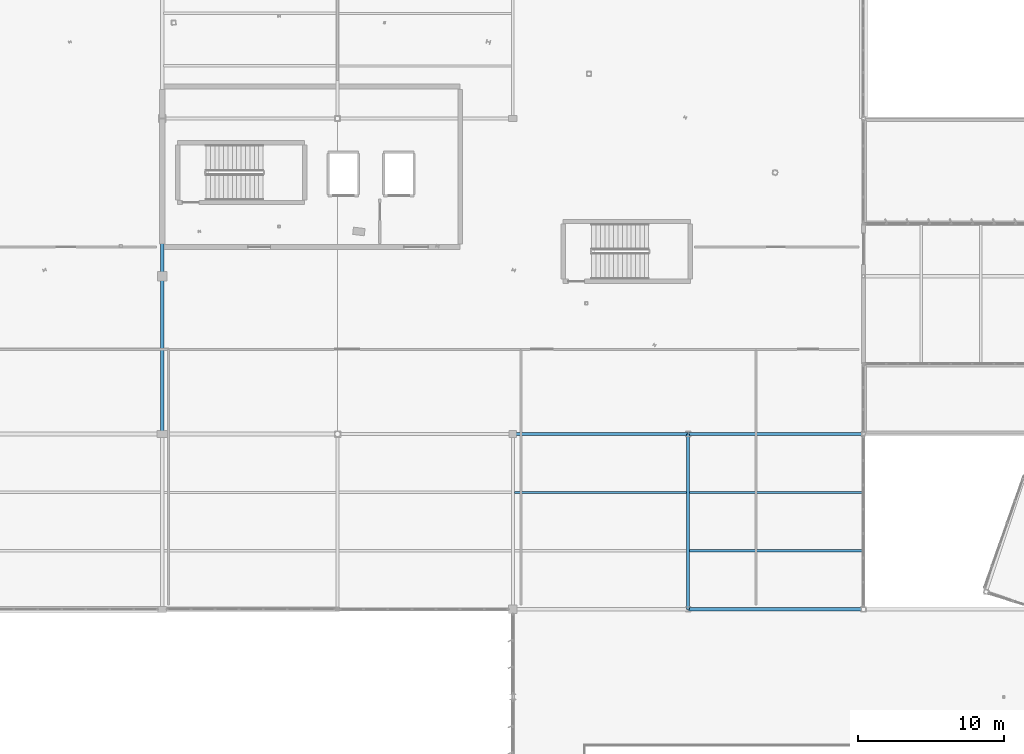
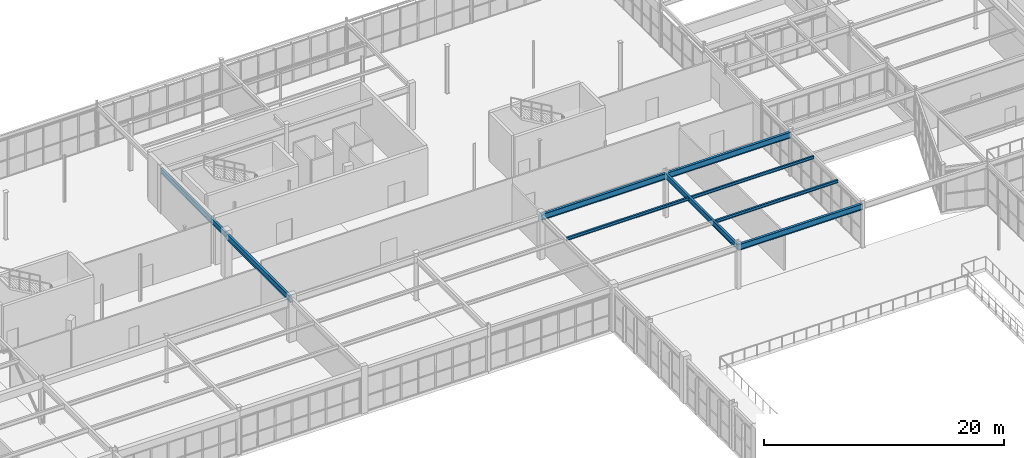
# One storey, part 100 of 226: 9 beams.
"""IFC4 building model written with IfcOpenShell, lengths in metres."""

from ifc_helpers import new_model, si_unit, direction, frame, origin, origin_2d, place, context, subcontext, project, spatial, i_section, extrude, material, material_profile, profile_set, type_object, element, save


model = new_model("IFC4")

# Units and contexts
model_context = context("Model", 3, precision=1e-05, world=origin(), true_north=direction((0.0, 1.0)))
body_context = subcontext(model_context, "Body", "Model", "MODEL_VIEW")
ifc_project = project(units=[si_unit("LENGTHUNIT", "METRE"), si_unit("AREAUNIT", "SQUARE_METRE"), si_unit("VOLUMEUNIT", "CUBIC_METRE"), si_unit("PLANEANGLEUNIT", "RADIAN"), si_unit("MASSUNIT", "GRAM", prefix="KILO")], contexts=[model_context])

# Site, building, storey
site_placement = place(None, origin())
site = spatial("IfcSite", under=ifc_project, at=site_placement, CompositionType="ELEMENT")
building_placement = place(site_placement, origin())
building = spatial("IfcBuilding", under=site, at=building_placement, Name="Tarnwether General Hospital", CompositionType="ELEMENT")
storey_placement = place(building_placement, frame((0.0, 0.0, 4.800048828125)))
storey = spatial("IfcBuildingStorey", under=building, at=storey_placement, Name="L01", CompositionType="ELEMENT", Elevation=4.800048828125)

# Beams
ifc_material_1 = material(Name="Steel Grade 350 (350 MPa)", Category="steel")
ifc_material_profile_1 = material_profile(ifc_material_1, i_section(OverallWidth=0.22802734375, OverallDepth=0.60693359375, WebThickness=0.01123046875, FlangeThickness=0.017333984375, at=origin_2d()), Name="610UB113")
ifc_profile_set_1 = profile_set([ifc_material_profile_1], Name="Steel Grade 350 (350 MPa)")
beam_type_1 = type_object("IfcBeamType", Name="BM-G04", PredefinedType="BEAM", material=ifc_profile_set_1)
for number, where, z_axis, x_axis, name in (
    (1, (108.0, 93.60009765625, 4.141357421875), (1.0, 0.0, 0.0), (0.0, 1.0, 0.0), "Primary Girder BMG-L01-10800_9360-12000_9360-1181"),
    (2, (120.0, 81.60009765625, 4.141357421875), (1.0, 0.0, 0.0), (0.0, 1.0, 0.0), "Primary Girder BMG-L01-12000_8160-13200_8160-1188"),
):
    element("IfcBeam", number, at=place(storey_placement, frame(where, z_axis=z_axis, x_axis=x_axis)), inside=storey, type_object=beam_type_1, Name=name, PredefinedType="BEAM", context=body_context, shape_type="SweptSolid", body=[
        extrude(i_section(OverallWidth=0.22802734375, OverallDepth=0.60693359375, WebThickness=0.01123046875, FlangeThickness=0.017333984375, at=origin_2d()), origin(), (0.0, 0.0, 1.0), 12.0),
    ])
ifc_material_2 = material(Name="Steel Grade 350 (350 MPa)", Category="steel")
ifc_material_profile_2 = material_profile(ifc_material_2, i_section(OverallWidth=0.22802734375, OverallDepth=0.60205078125, WebThickness=0.010498046875, FlangeThickness=0.014892578125, at=origin_2d()), Name="610UB101")
ifc_profile_set_2 = profile_set([ifc_material_profile_2], Name="Steel Grade 350 (350 MPa)")
beam_type_2 = type_object("IfcBeamType", Name="BM-G05", PredefinedType="BEAM", material=ifc_profile_set_2)
beam_1_placement = place(storey_placement, frame((84.0, 93.60009765625, 4.14404296875), z_axis=(0.0, 1.0, 0.0), x_axis=(-1.0, 0.0, 0.0)))
element("IfcBeam", 3, at=beam_1_placement, inside=storey, type_object=beam_type_2, Name="Primary Girder BMG-L01-8400_9360-8400_10440-1154", PredefinedType="BEAM", context=body_context, shape_type="SweptSolid", body=[
    extrude(i_section(OverallWidth=0.22802734375, OverallDepth=0.60205078125, WebThickness=0.010498046875, FlangeThickness=0.014892578125, at=origin_2d()), origin(), (0.0, 0.0, 1.0), 10.7998046875),
])
beam_2_placement = place(storey_placement, frame((120.0, 93.60009765625, 4.14404296875), z_axis=(1.0, 0.0, 0.0), x_axis=(0.0, 1.0, 0.0)))
element("IfcBeam", 4, at=beam_2_placement, inside=storey, type_object=beam_type_2, Name="Primary Girder BMG-L01-12000_9360-13200_9360-1190", PredefinedType="BEAM", context=body_context, shape_type="SweptSolid", body=[
    extrude(i_section(OverallWidth=0.22802734375, OverallDepth=0.60205078125, WebThickness=0.010498046875, FlangeThickness=0.014892578125, at=origin_2d()), origin(), (0.0, 0.0, 1.0), 12.0),
])
ifc_material_3 = material(Name="Steel Grade 350 (350 MPa)", Category="steel")
ifc_material_profile_3 = material_profile(ifc_material_3, i_section(OverallWidth=0.208984375, OverallDepth=0.532958984375, WebThickness=0.01025390625, FlangeThickness=0.015625, at=origin_2d()), Name="530UB92.4")
ifc_profile_set_3 = profile_set([ifc_material_profile_3], Name="Steel Grade 350 (350 MPa)")
beam_type_3 = type_object("IfcBeamType", Name="BM-G06", PredefinedType="BEAM", material=ifc_profile_set_3)
beam_3_placement = place(storey_placement, frame((84.0, 104.39990234375, 4.178466796875), z_axis=(0.0, 1.0, 0.0), x_axis=(-1.0, 0.0, 0.0)))
element("IfcBeam", 5, at=beam_3_placement, inside=storey, type_object=beam_type_3, Name="Primary Girder BMG-L01-8400_10440-8400_11520-1155", PredefinedType="BEAM", context=body_context, shape_type="SweptSolid", body=[
    extrude(i_section(OverallWidth=0.208984375, OverallDepth=0.532958984375, WebThickness=0.01025390625, FlangeThickness=0.015625, at=origin_2d()), origin(), (0.0, 0.0, 1.0), 10.800048828125),
])
ifc_material_4 = material(Name="Steel Grade 350 (350 MPa)", Category="steel")
ifc_material_profile_4 = material_profile(ifc_material_4, i_section(OverallWidth=0.208984375, OverallDepth=0.528076171875, WebThickness=0.009521484375, FlangeThickness=0.01318359375, at=origin_2d()), Name="530UB82.0")
ifc_profile_set_4 = profile_set([ifc_material_profile_4], Name="Steel Grade 350 (350 MPa)")
beam_type_4 = type_object("IfcBeamType", Name="BM-G07", PredefinedType="BEAM", material=ifc_profile_set_4)
beam_4_placement = place(storey_placement, frame((120.0, 81.60009765625, 4.180908203125), z_axis=(0.0, 1.0, 0.0), x_axis=(-1.0, 0.0, 0.0)))
element("IfcBeam", 6, at=beam_4_placement, inside=storey, type_object=beam_type_4, Name="Primary Girder BMG-L01-12000_8160-12000_9360-1189", PredefinedType="BEAM", context=body_context, shape_type="SweptSolid", body=[
    extrude(i_section(OverallWidth=0.208984375, OverallDepth=0.528076171875, WebThickness=0.009521484375, FlangeThickness=0.01318359375, at=origin_2d()), origin(), (0.0, 0.0, 1.0), 12.0),
])
ifc_material_5 = material(Name="Steel Grade 350 (350 MPa)", Category="steel")
ifc_material_profile_5 = material_profile(ifc_material_5, i_section(OverallWidth=0.1650390625, OverallDepth=0.303955078125, WebThickness=0.006103515625, FlangeThickness=0.01025390625, at=origin_2d()), Name="310UB40.4")
ifc_profile_set_5 = profile_set([ifc_material_profile_5], Name="Steel Grade 350 (350 MPa)")
beam_type_5 = type_object("IfcBeamType", Name="BM-J07", PredefinedType="JOIST", material=ifc_profile_set_5)
beam_5_placement = place(storey_placement, frame((108.09912109375, 89.60009765625, 4.29296875), z_axis=(1.0, 0.0, 0.0), x_axis=(0.0, 1.0, 0.0)))
element("IfcBeam", 7, at=beam_5_placement, inside=storey, type_object=beam_type_5, Name="Composite Floor Joist BMG-L01-10810_8960-11990_8960-1380", PredefinedType="JOIST", context=body_context, shape_type="SweptSolid", body=[
    extrude(i_section(OverallWidth=0.1650390625, OverallDepth=0.303955078125, WebThickness=0.006103515625, FlangeThickness=0.01025390625, at=origin_2d()), origin(), (0.0, 0.0, 1.0), 11.8017578125),
])
beam_6_placement = place(storey_placement, frame((120.09912109375, 85.60009765625, 4.29296875), z_axis=(1.0, 0.0, 0.0), x_axis=(0.0, 1.0, 0.0)))
element("IfcBeam", 8, at=beam_6_placement, inside=storey, type_object=beam_type_5, Name="Composite Floor Joist BMG-L01-12010_8560-13191_8560-1383", PredefinedType="JOIST", context=body_context, shape_type="SweptSolid", body=[
    extrude(i_section(OverallWidth=0.1650390625, OverallDepth=0.303955078125, WebThickness=0.006103515625, FlangeThickness=0.01025390625, at=origin_2d()), origin(), (0.0, 0.0, 1.0), 11.811767578125),
])
ifc_material_6 = material(Name="Steel Grade 350 (350 MPa)", Category="steel")
ifc_material_profile_6 = material_profile(ifc_material_6, i_section(OverallWidth=0.14892578125, OverallDepth=0.298095703125, WebThickness=0.005615234375, FlangeThickness=0.008056640625, at=origin_2d()), Name="310UB32.0")
ifc_profile_set_6 = profile_set([ifc_material_profile_6], Name="Steel Grade 350 (350 MPa)")
beam_type_6 = type_object("IfcBeamType", Name="BM-J08", PredefinedType="JOIST", material=ifc_profile_set_6)
beam_7_placement = place(storey_placement, frame((120.09912109375, 89.60009765625, 4.2958984375), z_axis=(1.0, 0.0, 0.0), x_axis=(0.0, 1.0, 0.0)))
element("IfcBeam", 9, at=beam_7_placement, inside=storey, type_object=beam_type_6, Name="Composite Floor Joist BMG-L01-12010_8960-13191_8960-1384", PredefinedType="JOIST", context=body_context, shape_type="SweptSolid", body=[
    extrude(i_section(OverallWidth=0.14892578125, OverallDepth=0.298095703125, WebThickness=0.005615234375, FlangeThickness=0.008056640625, at=origin_2d()), origin(), (0.0, 0.0, 1.0), 11.811767578125),
])

save(model, "model.ifc")
